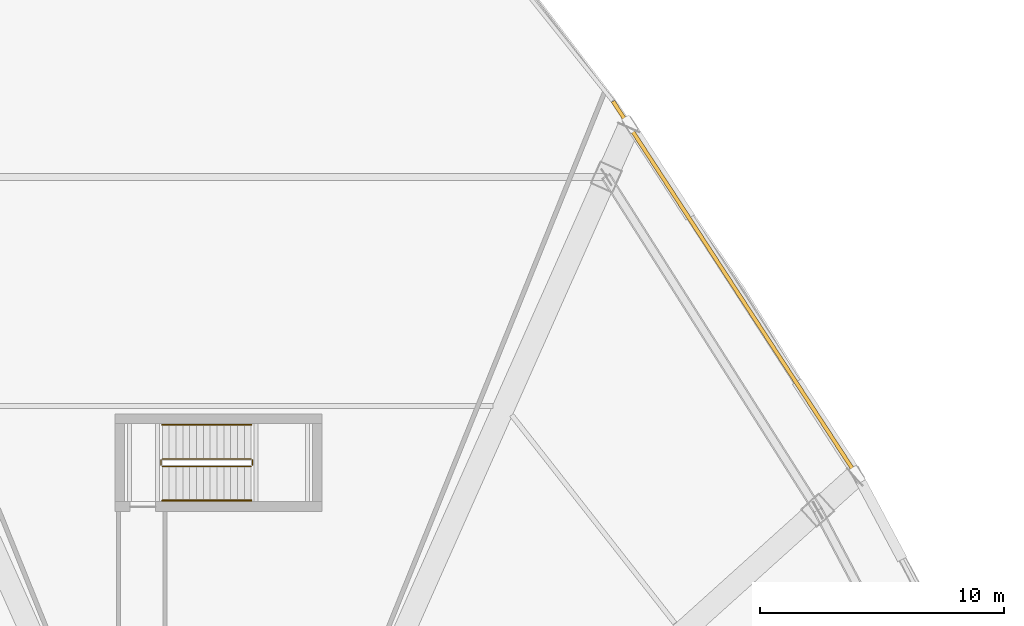
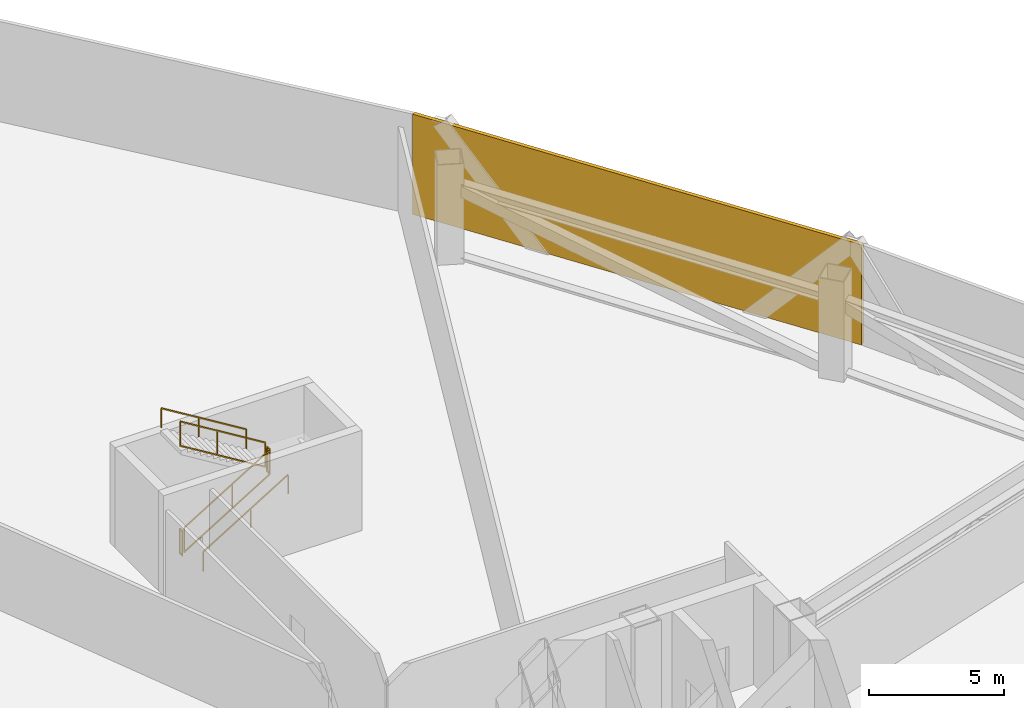
# One storey, part 16 of 17: 6 railings, 1 shading device.
"""IFC4 building model written with IfcOpenShell, lengths in metres."""

from ifc_helpers import new_model, si_unit, direction, frame, origin, origin_2d, place, context, subcontext, project, spatial, rectangle, extrude, source, transform, mapped, material, layer, layer_set, type_object, element, save


model = new_model("IFC4")

# Units and contexts
model_context = context("Model", 3, precision=1e-05, world=origin(), true_north=direction((0.0, 1.0)))
body_context = subcontext(model_context, "Body", "Model", "MODEL_VIEW")
ifc_project = project(units=[si_unit("LENGTHUNIT", "METRE"), si_unit("AREAUNIT", "SQUARE_METRE"), si_unit("VOLUMEUNIT", "CUBIC_METRE"), si_unit("PLANEANGLEUNIT", "RADIAN"), si_unit("MASSUNIT", "GRAM", prefix="KILO"), si_unit("THERMODYNAMICTEMPERATUREUNIT", "KELVIN"), si_unit("POWERUNIT", "WATT")], contexts=[model_context])

# Site, building, storey
site_placement = place(None, origin())
site = spatial("IfcSite", under=ifc_project, at=site_placement, CompositionType="ELEMENT")
building_placement = place(site_placement, origin())
building = spatial("IfcBuilding", under=site, at=building_placement, Name="Yunzhuo Pagoda Commons", CompositionType="ELEMENT")
storey_placement = place(building_placement, frame((0.0, 0.0, 76.3798828125)))
storey = spatial("IfcBuildingStorey", under=building, at=storey_placement, Name="L19", CompositionType="ELEMENT", Elevation=76.3798828125)

# Railings
ifc_material = material(Name="Anodized aluminium 6063-T6", Category="aluminium")
railing_type_1 = type_object("IfcRailingType", Name="GR-ST3 North Well Guardrail 1155", PredefinedType="GUARDRAIL", material=ifc_material)
railing_1_placement = place(storey_placement, frame((45.75, 57.64990234375, 0.171630859375)))
element("IfcRailing", 1, at=railing_1_placement, inside=storey, type_object=railing_type_1, Name="L19 ST3 stair guard 1", PredefinedType="GUARDRAIL", context=body_context, shape_type="SweptSolid", body=[
    extrude(rectangle(XDim=0.048095703125, YDim=0.048095703125, at=origin_2d()), frame((0.0, 0.0, 1.1259765625), z_axis=(0.852850264322, 0.0, 0.5221555579), x_axis=(0.0, 1.0, 0.0)), (0.0, 0.0, 1.0), 4.267822265625),
    extrude(rectangle(XDim=0.048095703125, YDim=0.048095703125, at=origin_2d()), frame((0.0, 0.0, 0.02392578125), z_axis=(0.852850264322, 0.0, 0.5221555579), x_axis=(0.0, 1.0, 0.0)), (0.0, 0.0, 1.0), 4.267822265625),
    extrude(rectangle(XDim=0.0419921875, YDim=0.0419921875, at=origin_2d()), origin(), (0.0, 0.0, 1.0), 1.101806640625),
    extrude(rectangle(XDim=0.0419921875, YDim=0.0419921875, at=origin_2d()), frame((2.046875, 0.0, 1.253173828125)), (0.0, 0.0, 1.0), 1.101806640625),
    extrude(rectangle(XDim=0.0419921875, YDim=0.0419921875, at=origin_2d()), frame((3.639892578125, 0.0, 2.228515625)), (0.0, 0.0, 1.0), 1.101806640625),
])
railing_2_placement = place(storey_placement, frame((49.43994140625, 57.699951171875, 2.400146484375)))
element("IfcRailing", 2, at=railing_2_placement, inside=storey, type_object=railing_type_1, Name="L19 ST3 stair guard 2", PredefinedType="GUARDRAIL", context=body_context, shape_type="SweptSolid", body=[
    extrude(rectangle(XDim=0.048095703125, YDim=0.048095703125, at=origin_2d()), frame((0.0, 0.0, 1.1259765625), z_axis=(0.0, 1.0, 0.0), x_axis=(-1.0, 0.0, 0.0)), (0.0, 0.0, 1.0), 0.199951171875),
    extrude(rectangle(XDim=0.048095703125, YDim=0.048095703125, at=origin_2d()), frame((0.0, 0.0, 0.02392578125), z_axis=(0.0, 1.0, 0.0), x_axis=(-1.0, 0.0, 0.0)), (0.0, 0.0, 1.0), 0.199951171875),
    extrude(rectangle(XDim=0.0419921875, YDim=0.0419921875, at=origin_2d()), origin(), (0.0, 0.0, 1.0), 1.101806640625),
    extrude(rectangle(XDim=0.0419921875, YDim=0.0419921875, at=origin_2d()), frame((0.0, 0.199951171875, 0.0)), (0.0, 0.0, 1.0), 1.101806640625),
])
railing_3_placement = place(storey_placement, frame((49.389892578125, 57.949951171875, 2.571533203125)))
element("IfcRailing", 3, at=railing_3_placement, inside=storey, type_object=railing_type_1, Name="L19 ST3 stair guard 3", PredefinedType="GUARDRAIL", context=body_context, shape_type="SweptSolid", body=[
    extrude(rectangle(XDim=0.048095703125, YDim=0.048095703125, at=origin_2d()), frame((0.0, 0.0, 1.1259765625), z_axis=(-0.852850264322, 0.0, 0.5221555579), x_axis=(0.0, -1.0, 0.0)), (0.0, 0.0, 1.0), 4.267822265625),
    extrude(rectangle(XDim=0.048095703125, YDim=0.048095703125, at=origin_2d()), frame((0.0, 0.0, 0.02392578125), z_axis=(-0.852850264322, 0.0, 0.5221555579), x_axis=(0.0, -1.0, 0.0)), (0.0, 0.0, 1.0), 4.267822265625),
    extrude(rectangle(XDim=0.0419921875, YDim=0.0419921875, at=origin_2d()), origin(), (0.0, 0.0, 1.0), 1.101806640625),
    extrude(rectangle(XDim=0.0419921875, YDim=0.0419921875, at=origin_2d()), frame((-2.046875, 0.0, 1.253173828125)), (0.0, 0.0, 1.0), 1.101806640625),
    extrude(rectangle(XDim=0.0419921875, YDim=0.0419921875, at=origin_2d()), frame((-3.639892578125, 0.0, 2.228515625)), (0.0, 0.0, 1.0), 1.101806640625),
])
railing_4_placement = place(storey_placement, frame((45.699951171875, 57.699951171875, 0.0)))
element("IfcRailing", 4, at=railing_4_placement, inside=storey, type_object=railing_type_1, Name="L19 ST3 stair guard 4", PredefinedType="GUARDRAIL", context=body_context, shape_type="SweptSolid", body=[
    extrude(rectangle(XDim=0.048095703125, YDim=0.048095703125, at=origin_2d()), frame((0.0, 0.0, 1.1259765625), z_axis=(0.0, 1.0, 0.0), x_axis=(-1.0, 0.0, 0.0)), (0.0, 0.0, 1.0), 0.199951171875),
    extrude(rectangle(XDim=0.048095703125, YDim=0.048095703125, at=origin_2d()), frame((0.0, 0.0, 0.02392578125), z_axis=(0.0, 1.0, 0.0), x_axis=(-1.0, 0.0, 0.0)), (0.0, 0.0, 1.0), 0.199951171875),
    extrude(rectangle(XDim=0.0419921875, YDim=0.0419921875, at=origin_2d()), origin(), (0.0, 0.0, 1.0), 1.101806640625),
    extrude(rectangle(XDim=0.0419921875, YDim=0.0419921875, at=origin_2d()), frame((0.0, 0.199951171875, 0.0)), (0.0, 0.0, 1.0), 1.101806640625),
])
railing_type_2 = type_object("IfcRailingType", Name="HR-ST3 North Stair Handrail 900", PredefinedType="HANDRAIL", material=ifc_material)
railing_5_placement = place(storey_placement, frame((45.75, 56.25, 0.171630859375)))
element("IfcRailing", 5, at=railing_5_placement, inside=storey, type_object=railing_type_2, Name="L19 ST3 stair handrail 1", PredefinedType="HANDRAIL", context=body_context, shape_type="SweptSolid", body=[
    extrude(rectangle(XDim=0.048095703125, YDim=0.048095703125, at=origin_2d()), frame((0.0, 0.0, 0.8759765625), z_axis=(0.852850264322, 0.0, 0.5221555579), x_axis=(0.0, 1.0, 0.0)), (0.0, 0.0, 1.0), 4.267822265625),
    extrude(rectangle(XDim=0.0419921875, YDim=0.0419921875, at=origin_2d()), origin(), (0.0, 0.0, 1.0), 0.851806640625),
    extrude(rectangle(XDim=0.0419921875, YDim=0.0419921875, at=origin_2d()), frame((2.046875, 0.0, 1.253173828125)), (0.0, 0.0, 1.0), 0.851806640625),
    extrude(rectangle(XDim=0.0419921875, YDim=0.0419921875, at=origin_2d()), frame((3.639892578125, 0.0, 2.228515625)), (0.0, 0.0, 1.0), 0.851806640625),
])
railing_6_placement = place(storey_placement, frame((49.389892578125, 59.35009765625, 2.571533203125)))
element("IfcRailing", 6, at=railing_6_placement, inside=storey, type_object=railing_type_2, Name="L19 ST3 stair handrail 2", PredefinedType="HANDRAIL", context=body_context, shape_type="SweptSolid", body=[
    extrude(rectangle(XDim=0.048095703125, YDim=0.048095703125, at=origin_2d()), frame((0.0, 0.0, 0.8759765625), z_axis=(-0.852850264322, 0.0, 0.5221555579), x_axis=(0.0, -1.0, 0.0)), (0.0, 0.0, 1.0), 4.267822265625),
    extrude(rectangle(XDim=0.0419921875, YDim=0.0419921875, at=origin_2d()), origin(), (0.0, 0.0, 1.0), 0.851806640625),
    extrude(rectangle(XDim=0.0419921875, YDim=0.0419921875, at=origin_2d()), frame((-2.046875, 0.0, 1.253173828125)), (0.0, 0.0, 1.0), 0.851806640625),
    extrude(rectangle(XDim=0.0419921875, YDim=0.0419921875, at=origin_2d()), frame((-3.639892578125, 0.0, 2.228515625)), (0.0, 0.0, 1.0), 0.851806640625),
])

# Shading device
ifc_layer = layer(ifc_material, 0.159912109375)
ifc_layer_set = layer_set([ifc_layer], Name="Anodized aluminium 6063-T6")
shading_device_type = type_object("IfcShadingDeviceType", Name="SH-SCR1 Stormproof Refuge Louvre Screen", PredefinedType="JALOUSIE", material=ifc_layer_set)
shared_shape = source(origin(), body_context, "Body", "SweptSolid", [
    extrude(rectangle(XDim=18.6767578125, YDim=0.159912109375, at=origin_2d()), origin(), (0.0, 0.0, 1.0), 4.5400390625),
])
shading_device_placement = place(storey_placement, frame((69.31103515625, 64.785400390625, 0.0), z_axis=(0.0, 0.0, 1.0), x_axis=(-0.545838756973, 0.837890238269, 0.0)))
element("IfcShadingDevice", 7, at=shading_device_placement, inside=storey, type_object=shading_device_type, Name="L19 stormproof refuge louvre screen F2.3", PredefinedType="JALOUSIE", context=body_context, shape_type="MappedRepresentation", body=[
    mapped(shared_shape, transform((0.0, 0.0, 0.0), scale=1.0)),
])

save(model, "model.ifc")
